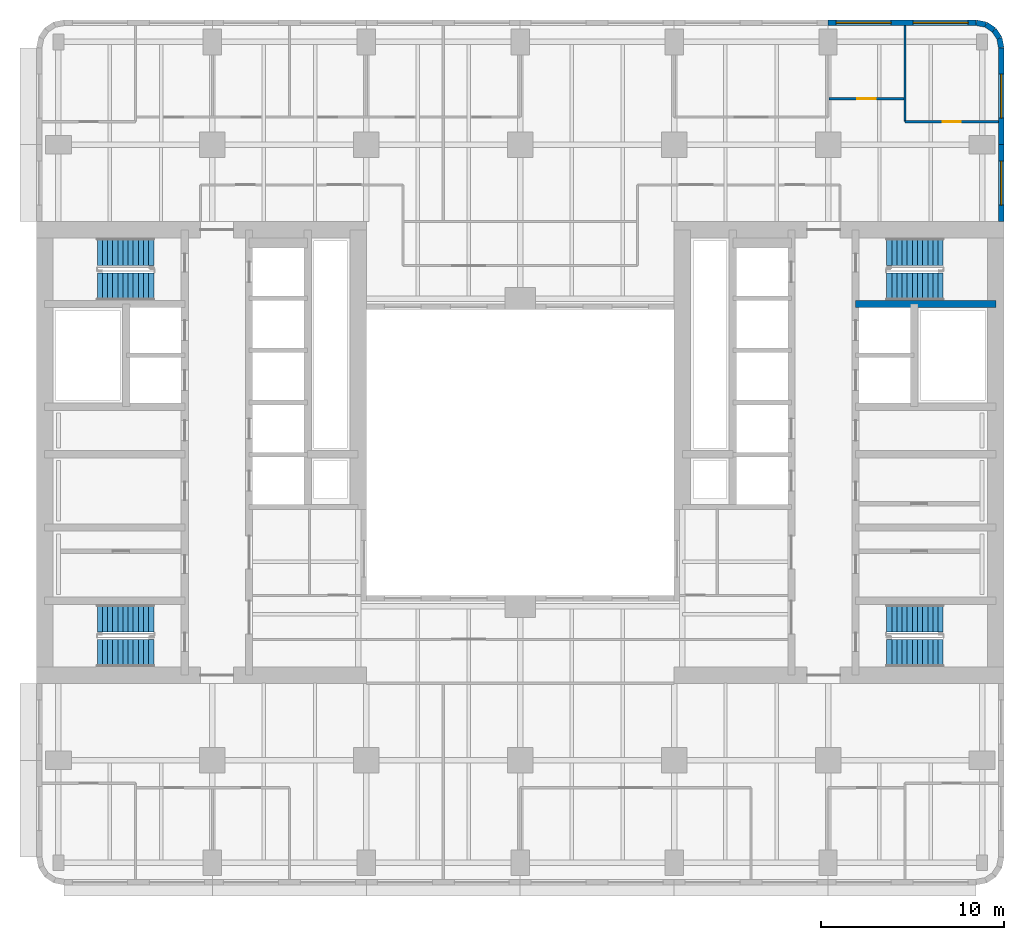
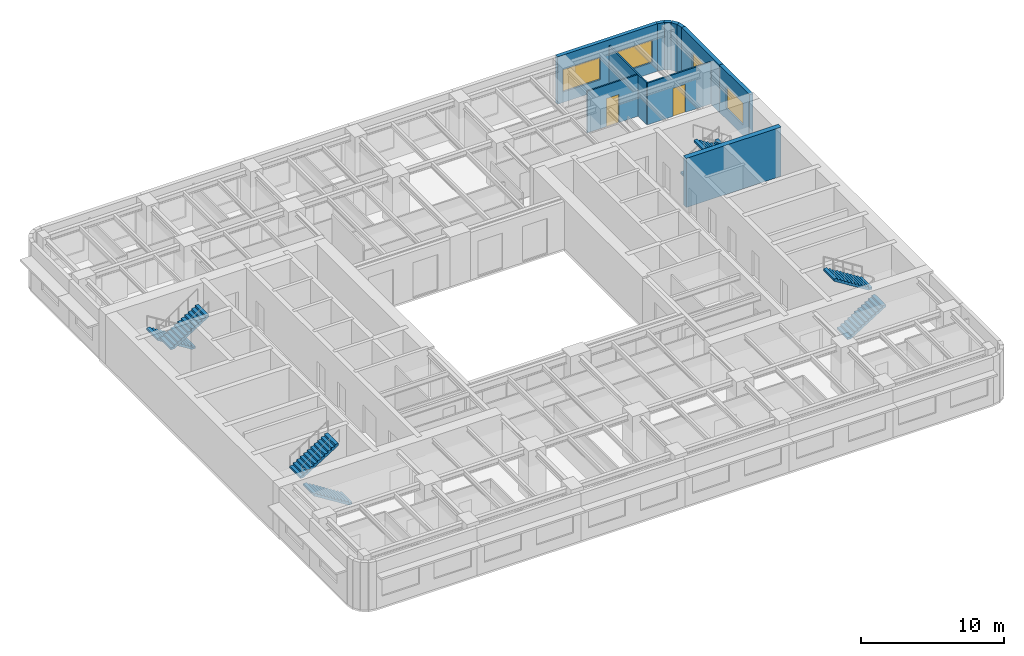
# One storey, part 8 of 11: 11 walls, 8 stair flights, 4 windows, 2 doors, 6 openings, 4 elements without a shape of their own.
"""IFC4 building model written with IfcOpenShell, lengths in metres."""

from ifc_helpers import new_model, si_unit, direction, frame, frame_2d, origin, place, context, subcontext, project, spatial, polyline, rectangle, outline, extrude, material, layer, layer_set, type_object, element, fill, aggregate, save


model = new_model("IFC4")

# Units and contexts
model_context = context("Model", 3, precision=1e-05, world=origin(), true_north=direction((0.0, 1.0)))
body_context = subcontext(model_context, "Body", "Model", "MODEL_VIEW")
ifc_project = project(units=[si_unit("LENGTHUNIT", "METRE"), si_unit("AREAUNIT", "SQUARE_METRE"), si_unit("VOLUMEUNIT", "CUBIC_METRE"), si_unit("PLANEANGLEUNIT", "RADIAN"), si_unit("MASSUNIT", "GRAM", prefix="KILO")], contexts=[model_context])

# Site, building, storey
site_placement = place(None, origin())
site = spatial("IfcSite", under=ifc_project, at=site_placement, CompositionType="ELEMENT")
building_placement = place(site_placement, origin())
building = spatial("IfcBuilding", under=site, at=building_placement, Name="Claustro Exchange Tower", CompositionType="ELEMENT")
storey_placement = place(building_placement, frame((0.0, 0.0, 142.800048828125)))
storey = spatial("IfcBuildingStorey", under=building, at=storey_placement, Name="L32", CompositionType="ELEMENT", Elevation=142.800048828125)

# Wall, opening, door
ifc_material_1 = material(Name="Laminated glass in aluminium frame", Category="aluminium")
ifc_layer_1 = layer(ifc_material_1, 0.1201171875)
ifc_layer_set_1 = layer_set([ifc_layer_1], Name="Laminated glass in aluminium frame")
wall_type_1 = type_object("IfcWallType", Name="P2 120 glazed partition", PredefinedType="PARTITIONING", material=ifc_layer_set_1)
wall_1_placement = place(storey_placement, frame((42.05810546875, 44.5, 0.0), z_axis=(0.0, 0.0, 1.0), x_axis=(1.0, 0.0, 0.0)))
wall_1 = element("IfcWall", 1, at=wall_1_placement, inside=storey, type_object=wall_type_1, Name="Partition P2 L32", PredefinedType="PARTITIONING", context=body_context, shape_type="SweptSolid", body=[
    extrude(rectangle(XDim=4.083984375, YDim=0.1201171875, at=frame_2d((2.0419921875, 0.0))), origin(), (0.0, 0.0, 1.0), 3.550048828125),
])
opening_1_placement = place(wall_1_placement, frame((1.5419921875, 0.0, 0.0)))
opening_1 = element("IfcOpeningElement", 2, at=opening_1_placement, cuts=wall_1, Name="Opening D7", PredefinedType="OPENING", context=body_context, shape_type="SweptSolid", body=[
    extrude(rectangle(XDim=1.0, YDim=2.39990234375, at=frame_2d((0.5, 1.199951171875))), frame((0.0, 0.070068359375, 0.0), z_axis=(0.0, -1.0, 0.0), x_axis=(1.0, 0.0, 0.0)), (0.0, 0.0, 1.0), 0.14013671875),
])
ifc_material_2 = material(Name="Glass door in aluminium frame", Category="aluminium")
door_type = type_object("IfcDoorType", Name="D7 1000 x 2400 glazed door", OperationType="SINGLE_SWING_LEFT", PredefinedType="DOOR", material=ifc_material_2)
door_1_placement = place(opening_1_placement, origin())
door_1 = element("IfcDoor", 3, at=door_1_placement, inside=storey, type_object=door_type, Name="Door D7 L32", OperationType="SINGLE_SWING_LEFT", OverallHeight=2.39990234375, OverallWidth=1.0, PredefinedType="DOOR", context=body_context, shape_type="SweptSolid", body=[
    extrude(rectangle(XDim=1.0, YDim=2.39990234375, at=frame_2d((0.5, 1.199951171875))), frame((0.0, 0.02490234375, 0.0), z_axis=(0.0, -1.0, 0.0), x_axis=(1.0, 0.0, 0.0)), (0.0, 0.0, 1.0), 0.050048828125),
])
fill(opening_1, door_1)

wall_2_placement = place(storey_placement, frame((46.199951171875, 43.25, 0.0), z_axis=(0.0, 0.0, 1.0), x_axis=(1.0, 0.0, 0.0)))
wall_2 = element("IfcWall", 4, at=wall_2_placement, inside=storey, type_object=wall_type_1, Name="Partition P2 L32", PredefinedType="PARTITIONING", context=body_context, shape_type="SweptSolid", body=[
    extrude(rectangle(XDim=5.10205078125, YDim=0.1201171875, at=frame_2d((2.551025390625, 0.0))), origin(), (0.0, 0.0, 1.0), 3.56005859375),
])
opening_2_placement = place(wall_2_placement, frame((2.050048828125, 0.0, 0.0)))
opening_2 = element("IfcOpeningElement", 5, at=opening_2_placement, cuts=wall_2, Name="Opening D7", PredefinedType="OPENING", context=body_context, shape_type="SweptSolid", body=[
    extrude(rectangle(XDim=1.0, YDim=2.39990234375, at=frame_2d((0.5, 1.199951171875))), frame((0.0, 0.070068359375, 0.0), z_axis=(0.0, -1.0, 0.0), x_axis=(1.0, 0.0, 0.0)), (0.0, 0.0, 1.0), 0.14013671875),
])
door_2_placement = place(opening_2_placement, origin())
door_2 = element("IfcDoor", 6, at=door_2_placement, inside=storey, type_object=door_type, Name="Door D7 L32", OperationType="SINGLE_SWING_LEFT", OverallHeight=2.39990234375, OverallWidth=1.0, PredefinedType="DOOR", context=body_context, shape_type="SweptSolid", body=[
    extrude(rectangle(XDim=1.0, YDim=2.39990234375, at=frame_2d((0.5, 1.199951171875))), frame((0.0, 0.02490234375, 0.0), z_axis=(0.0, -1.0, 0.0), x_axis=(1.0, 0.0, 0.0)), (0.0, 0.0, 1.0), 0.050048828125),
])
fill(opening_2, door_2)

# Wall
wall_3_placement = place(storey_placement, frame((46.199951171875, 43.25, 0.0), z_axis=(0.0, 0.0, 1.0), x_axis=(0.0, 1.0, 0.0)))
element("IfcWall", 7, at=wall_3_placement, inside=storey, type_object=wall_type_1, Name="Partition P2 L32", PredefinedType="PARTITIONING", context=body_context, shape_type="SweptSolid", body=[
    extrude(rectangle(XDim=5.251953125, YDim=0.1201171875, at=frame_2d((2.6259765625, 0.0))), origin(), (0.0, 0.0, 1.0), 3.56005859375),
])

# Wall, openings, windows
ifc_material_3 = material(Name="Concrete HA-40 (C40/50), precast, white cement, acid-etched", Category="concrete")
ifc_layer_2 = layer(ifc_material_3, 0.300048828125)
ifc_layer_set_2 = layer_set([ifc_layer_2], Name="Concrete HA-40 (C40/50), precast, white cement, acid-etched")
wall_type_2 = type_object("IfcWallType", Name="PC1 300 precast concrete pier panel", PredefinedType="SOLIDWALL", material=ifc_layer_set_2)
wall_4_placement = place(storey_placement, frame((42.0, 48.64990234375, 0.0), z_axis=(0.0, 0.0, 1.0), x_axis=(1.0, 0.0, 0.0)))
wall_4 = element("IfcWall", 8, at=wall_4_placement, inside=storey, type_object=wall_type_2, Name="Precast pier panel PC1 L32", PredefinedType="SOLIDWALL", context=body_context, shape_type="SweptSolid", body=[
    extrude(rectangle(XDim=8.085205078125, YDim=0.300048828125, at=frame_2d((4.04248046875, 0.0))), origin(), (0.0, 0.0, 1.0), 4.050048828125),
])
opening_3_placement = place(wall_4_placement, frame((0.442626953125, 0.0, 0.89990234375)))
opening_3 = element("IfcOpeningElement", 9, at=opening_3_placement, cuts=wall_4, Name="Opening W1", PredefinedType="OPENING", context=body_context, shape_type="SweptSolid", body=[
    extrude(rectangle(XDim=3.0, YDim=1.89990234375, at=frame_2d((1.5, 0.949951171875))), frame((0.0, 0.159912109375, 0.0), z_axis=(0.0, -1.0, 0.0), x_axis=(1.0, 0.0, 0.0)), (0.0, 0.0, 1.0), 0.320068359375),
])
opening_4_placement = place(wall_4_placement, frame((4.642578125, 0.0, 0.89990234375)))
opening_4 = element("IfcOpeningElement", 10, at=opening_4_placement, cuts=wall_4, Name="Opening W1", PredefinedType="OPENING", context=body_context, shape_type="SweptSolid", body=[
    extrude(rectangle(XDim=3.0, YDim=1.89990234375, at=frame_2d((1.5, 0.949951171875))), frame((0.0, 0.159912109375, 0.0), z_axis=(0.0, -1.0, 0.0), x_axis=(1.0, 0.0, 0.0)), (0.0, 0.0, 1.0), 0.320068359375),
])
ifc_material_4 = material(Name="Aluminium frame, clear double glazing", Category="aluminium")
window_type_1 = type_object("IfcWindowType", Name="W1 3000 x 1900 window", PartitioningType="SINGLE_PANEL", PredefinedType="WINDOW", material=ifc_material_4)
window_1_placement = place(opening_3_placement, origin())
window_1 = element("IfcWindow", 11, at=window_1_placement, inside=storey, type_object=window_type_1, Name="Window W1 L32", OverallHeight=1.89990234375, OverallWidth=3.0, PartitioningType="SINGLE_PANEL", PredefinedType="WINDOW", context=body_context, shape_type="SweptSolid", body=[
    extrude(rectangle(XDim=3.0, YDim=1.89990234375, at=frame_2d((1.5, 0.949951171875))), frame((0.0, 0.030029296875, 0.0), z_axis=(0.0, -1.0, 0.0), x_axis=(1.0, 0.0, 0.0)), (0.0, 0.0, 1.0), 0.06005859375),
])
fill(opening_3, window_1)
window_2_placement = place(opening_4_placement, origin())
window_2 = element("IfcWindow", 12, at=window_2_placement, inside=storey, type_object=window_type_1, Name="Window W1 L32", OverallHeight=1.89990234375, OverallWidth=3.0, PartitioningType="SINGLE_PANEL", PredefinedType="WINDOW", context=body_context, shape_type="SweptSolid", body=[
    extrude(rectangle(XDim=3.0, YDim=1.89990234375, at=frame_2d((1.5, 0.949951171875))), frame((0.0, 0.030029296875, 0.0), z_axis=(0.0, -1.0, 0.0), x_axis=(1.0, 0.0, 0.0)), (0.0, 0.0, 1.0), 0.06005859375),
])
fill(opening_4, window_2)

# Walls
wall_5_placement = place(storey_placement, frame((50.085205078125, 48.64990234375, 0.0), z_axis=(0.0, 0.0, 1.0), x_axis=(0.980788534345, -0.195073962632, 0.0)))
element("IfcWall", 13, at=wall_5_placement, inside=storey, type_object=wall_type_2, Name="Precast pier panel PC1 L32", PredefinedType="SOLIDWALL", context=body_context, shape_type="SweptSolid", body=[
    extrude(rectangle(XDim=0.540771484375, YDim=0.300048828125, at=frame_2d((0.2705078125, 0.0))), origin(), (0.0, 0.0, 1.0), 4.050048828125),
])
wall_6_placement = place(storey_placement, frame((50.615478515625, 48.54443359375, 0.0), z_axis=(0.0, 0.0, 1.0), x_axis=(0.831692711774, -0.555236195849, 0.0)))
element("IfcWall", 14, at=wall_6_placement, inside=storey, type_object=wall_type_2, Name="Precast pier panel PC1 L32", PredefinedType="SOLIDWALL", context=body_context, shape_type="SweptSolid", body=[
    extrude(rectangle(XDim=0.525390625, YDim=0.300048828125, at=frame_2d((0.2626953125, 0.0))), origin(), (0.0, 0.0, 1.0), 4.050048828125),
])
wall_7_placement = place(storey_placement, frame((51.052490234375, 48.252685546875, 0.0), z_axis=(0.0, 0.0, 1.0), x_axis=(0.55534295404, -0.831621430339, 0.0)))
element("IfcWall", 15, at=wall_7_placement, inside=storey, type_object=wall_type_2, Name="Precast pier panel PC1 L32", PredefinedType="SOLIDWALL", context=body_context, shape_type="SweptSolid", body=[
    extrude(rectangle(XDim=0.52587890625, YDim=0.300048828125, at=frame_2d((0.262939453125, 0.0))), origin(), (0.0, 0.0, 1.0), 4.050048828125),
])
wall_8_placement = place(storey_placement, frame((51.344482421875, 47.8154296875, 0.0), z_axis=(0.0, 0.0, 1.0), x_axis=(0.195073962632, -0.980788534345, 0.0)))
element("IfcWall", 16, at=wall_8_placement, inside=storey, type_object=wall_type_2, Name="Precast pier panel PC1 L32", PredefinedType="SOLIDWALL", context=body_context, shape_type="SweptSolid", body=[
    extrude(rectangle(XDim=0.540771484375, YDim=0.300048828125, at=frame_2d((0.2705078125, 0.0))), origin(), (0.0, 0.0, 1.0), 4.050048828125),
])

# Wall, opening, window
wall_9_placement = place(storey_placement, frame((51.449951171875, 47.28515625, 0.0), z_axis=(0.0, 0.0, 1.0), x_axis=(0.0, -1.0, 0.0)))
wall_9 = element("IfcWall", 17, at=wall_9_placement, inside=storey, type_object=wall_type_2, Name="Precast pier panel PC1 L32", PredefinedType="SOLIDWALL", context=body_context, shape_type="SweptSolid", body=[
    extrude(rectangle(XDim=5.28515625, YDim=0.300048828125, at=frame_2d((2.642578125, 0.0))), origin(), (0.0, 0.0, 1.0), 4.050048828125),
])
opening_5_placement = place(wall_9_placement, frame((1.442626953125, 0.0, 0.89990234375)))
opening_5 = element("IfcOpeningElement", 18, at=opening_5_placement, cuts=wall_9, Name="Opening W2", PredefinedType="OPENING", context=body_context, shape_type="SweptSolid", body=[
    extrude(rectangle(XDim=2.39990234375, YDim=1.89990234375, at=frame_2d((1.199951171875, 0.949951171875))), frame((0.0, 0.159912109375, 0.0), z_axis=(0.0, -1.0, 0.0), x_axis=(1.0, 0.0, 0.0)), (0.0, 0.0, 1.0), 0.320068359375),
])
ifc_material_5 = material(Name="Aluminium frame, clear double glazing", Category="aluminium")
window_type_2 = type_object("IfcWindowType", Name="W2 2400 x 1900 window", PartitioningType="SINGLE_PANEL", PredefinedType="WINDOW", material=ifc_material_5)
window_3_placement = place(opening_5_placement, origin())
window_3 = element("IfcWindow", 19, at=window_3_placement, inside=storey, type_object=window_type_2, Name="Window W2 L32", OverallHeight=1.89990234375, OverallWidth=2.39990234375, PartitioningType="SINGLE_PANEL", PredefinedType="WINDOW", context=body_context, shape_type="SweptSolid", body=[
    extrude(rectangle(XDim=2.39990234375, YDim=1.89990234375, at=frame_2d((1.199951171875, 0.949951171875))), frame((0.0, 0.030029296875, 0.0), z_axis=(0.0, -1.0, 0.0), x_axis=(1.0, 0.0, 0.0)), (0.0, 0.0, 1.0), 0.06005859375),
])
fill(opening_5, window_3)

wall_10_placement = place(storey_placement, frame((51.449951171875, 42.0, 0.0), z_axis=(0.0, 0.0, 1.0), x_axis=(0.0, -1.0, 0.0)))
wall_10 = element("IfcWall", 20, at=wall_10_placement, inside=storey, type_object=wall_type_2, Name="Precast pier panel PC1 L32", PredefinedType="SOLIDWALL", context=body_context, shape_type="SweptSolid", body=[
    extrude(rectangle(XDim=4.199951171875, YDim=0.300048828125, at=frame_2d((2.10009765625, 0.0))), origin(), (0.0, 0.0, 1.0), 4.050048828125),
])
opening_6_placement = place(wall_10_placement, frame((0.89990234375, 0.0, 0.89990234375)))
opening_6 = element("IfcOpeningElement", 21, at=opening_6_placement, cuts=wall_10, Name="Opening W2", PredefinedType="OPENING", context=body_context, shape_type="SweptSolid", body=[
    extrude(rectangle(XDim=2.39990234375, YDim=1.89990234375, at=frame_2d((1.199951171875, 0.949951171875))), frame((0.0, 0.159912109375, 0.0), z_axis=(0.0, -1.0, 0.0), x_axis=(1.0, 0.0, 0.0)), (0.0, 0.0, 1.0), 0.320068359375),
])
window_4_placement = place(opening_6_placement, origin())
window_4 = element("IfcWindow", 22, at=window_4_placement, inside=storey, type_object=window_type_2, Name="Window W2 L32", OverallHeight=1.89990234375, OverallWidth=2.39990234375, PartitioningType="SINGLE_PANEL", PredefinedType="WINDOW", context=body_context, shape_type="SweptSolid", body=[
    extrude(rectangle(XDim=2.39990234375, YDim=1.89990234375, at=frame_2d((1.199951171875, 0.949951171875))), frame((0.0, 0.030029296875, 0.0), z_axis=(0.0, -1.0, 0.0), x_axis=(1.0, 0.0, 0.0)), (0.0, 0.0, 1.0), 0.06005859375),
])
fill(opening_6, window_4)

# Wall
ifc_material_6 = material(Name="Concrete HA-50 (C50/60)", Category="concrete")
ifc_layer_3 = layer(ifc_material_6, 0.39990234375)
ifc_layer_set_3 = layer_set([ifc_layer_3], Name="Concrete HA-50 (C50/60)")
wall_type_3 = type_object("IfcWallType", Name="SW4 400 internal core wall", PredefinedType="SHEAR", material=ifc_layer_set_3)
wall_11_placement = place(storey_placement, frame((51.14990234375, 33.300048828125, 0.0), z_axis=(0.0, 0.0, 1.0), x_axis=(-1.0, 0.0, 0.0)))
element("IfcWall", 23, at=wall_11_placement, inside=storey, type_object=wall_type_3, Name="Internal core wall SW4 E core L32", PredefinedType="SHEAR", context=body_context, shape_type="SweptSolid", body=[
    extrude(rectangle(XDim=7.64990234375, YDim=0.39990234375, at=frame_2d((3.824951171875, 0.0))), origin(), (0.0, 0.0, 1.0), 4.199951171875),
])

# Stair, stair flights
ifc_material_7 = material(Name="Concrete HA-30 (C30/37), precast", Category="concrete")
stair_type = type_object("IfcStairType", Name="ST1 half-turn stair, 24 risers of 175", PredefinedType="HALF_TURN_STAIR", material=ifc_material_7)
stair_1_placement = place(storey_placement, origin())
stair_1 = element("IfcStair", 24, at=stair_1_placement, inside=storey, type_object=stair_type, Name="Stair STWA L32", PredefinedType="HALF_TURN_STAIR")
ifc_material_8 = material(Name="Concrete HA-30 (C30/37), precast", Category="concrete")
stair_flight_type = type_object("IfcStairFlightType", Name="SF12A straight flight, 12 risers of 175, 1500 wide", PredefinedType="STRAIGHT", material=ifc_material_8)
stair_flight_1_placement = place(storey_placement, frame((5.199951171875, 14.25, 0.0), z_axis=(0.0, 0.0, 1.0), x_axis=(-1.0, 0.0, 0.0)))
stair_flight_1 = element("IfcStairFlight", 25, at=stair_flight_1_placement, type_object=stair_flight_type, Name="STWA flight 1", NumberOfRisers=12, NumberOfTreads=11, PredefinedType="STRAIGHT", RiserHeight=0.175, TreadLength=0.28, context=body_context, shape_type="SweptSolid", body=[
    extrude(outline(polyline([(0.0, 0.0), (0.0, 0.175048828125), (0.280029296875, 0.175048828125), (0.280029296875, 0.35009765625), (0.56005859375, 0.35009765625), (0.56005859375, 0.52490234375), (0.840087890625, 0.52490234375), (0.840087890625, 0.699951171875), (1.1201171875, 0.699951171875), (1.1201171875, 0.875), (1.39990234375, 0.875), (1.39990234375, 1.050048828125), (1.679931640625, 1.050048828125), (1.679931640625, 1.22509765625), (1.9599609375, 1.22509765625), (1.9599609375, 1.39990234375), (2.239990234375, 1.39990234375), (2.239990234375, 1.574951171875), (2.52001953125, 1.574951171875), (2.52001953125, 1.75), (2.800048828125, 1.75), (2.800048828125, 1.925048828125), (3.080078125, 1.925048828125), (3.080078125, 2.10009765625), (3.080078125, 1.748291015625), (0.28271484375, 0.0), (0.0, 0.0)])), frame((0.0, 0.75, 0.0), z_axis=(0.0, -1.0, 0.0), x_axis=(1.0, 0.0, 0.0)), (0.0, 0.0, 1.0), 1.5),
])
stair_flight_2_placement = place(storey_placement, frame((2.1201171875, 16.14990234375, 2.099853515625), z_axis=(0.0, 0.0, 1.0), x_axis=(1.0, 0.0, 0.0)))
stair_flight_2 = element("IfcStairFlight", 26, at=stair_flight_2_placement, type_object=stair_flight_type, Name="STWA flight 2", NumberOfRisers=12, NumberOfTreads=11, PredefinedType="STRAIGHT", RiserHeight=0.175, TreadLength=0.28, context=body_context, shape_type="SweptSolid", body=[
    extrude(outline(polyline([(0.0, 0.0), (0.0, 0.175048828125), (0.280029296875, 0.175048828125), (0.280029296875, 0.35009765625), (0.56005859375, 0.35009765625), (0.56005859375, 0.52490234375), (0.840087890625, 0.52490234375), (0.840087890625, 0.699951171875), (1.1201171875, 0.699951171875), (1.1201171875, 0.875), (1.39990234375, 0.875), (1.39990234375, 1.050048828125), (1.679931640625, 1.050048828125), (1.679931640625, 1.22509765625), (1.9599609375, 1.22509765625), (1.9599609375, 1.39990234375), (2.239990234375, 1.39990234375), (2.239990234375, 1.574951171875), (2.52001953125, 1.574951171875), (2.52001953125, 1.75), (2.800048828125, 1.75), (2.800048828125, 1.925048828125), (3.080078125, 1.925048828125), (3.080078125, 2.10009765625), (3.080078125, 1.748291015625), (0.28271484375, 0.0), (0.0, 0.0)])), frame((0.0, 0.75, 0.0), z_axis=(0.0, -1.0, 0.0), x_axis=(1.0, 0.0, 0.0)), (0.0, 0.0, 1.0), 1.5),
])
aggregate(stair_1, [stair_flight_1, stair_flight_2])

stair_2_placement = place(storey_placement, origin())
stair_2 = element("IfcStair", 27, at=stair_2_placement, inside=storey, type_object=stair_type, Name="Stair STWB L32", PredefinedType="HALF_TURN_STAIR")
stair_flight_3_placement = place(storey_placement, frame((5.199951171875, 36.14990234375, 0.0), z_axis=(0.0, 0.0, 1.0), x_axis=(-1.0, 0.0, 0.0)))
stair_flight_3 = element("IfcStairFlight", 28, at=stair_flight_3_placement, type_object=stair_flight_type, Name="STWB flight 1", NumberOfRisers=12, NumberOfTreads=11, PredefinedType="STRAIGHT", RiserHeight=0.175, TreadLength=0.28, context=body_context, shape_type="SweptSolid", body=[
    extrude(outline(polyline([(0.0, 0.0), (0.0, 0.175048828125), (0.280029296875, 0.175048828125), (0.280029296875, 0.35009765625), (0.56005859375, 0.35009765625), (0.56005859375, 0.52490234375), (0.840087890625, 0.52490234375), (0.840087890625, 0.699951171875), (1.1201171875, 0.699951171875), (1.1201171875, 0.875), (1.39990234375, 0.875), (1.39990234375, 1.050048828125), (1.679931640625, 1.050048828125), (1.679931640625, 1.22509765625), (1.9599609375, 1.22509765625), (1.9599609375, 1.39990234375), (2.239990234375, 1.39990234375), (2.239990234375, 1.574951171875), (2.52001953125, 1.574951171875), (2.52001953125, 1.75), (2.800048828125, 1.75), (2.800048828125, 1.925048828125), (3.080078125, 1.925048828125), (3.080078125, 2.10009765625), (3.080078125, 1.748291015625), (0.28271484375, 0.0), (0.0, 0.0)])), frame((0.0, 0.75, 0.0), z_axis=(0.0, -1.0, 0.0), x_axis=(1.0, 0.0, 0.0)), (0.0, 0.0, 1.0), 1.5),
])
stair_flight_4_placement = place(storey_placement, frame((2.1201171875, 34.25, 2.099853515625), z_axis=(0.0, 0.0, 1.0), x_axis=(1.0, 0.0, 0.0)))
stair_flight_4 = element("IfcStairFlight", 29, at=stair_flight_4_placement, type_object=stair_flight_type, Name="STWB flight 2", NumberOfRisers=12, NumberOfTreads=11, PredefinedType="STRAIGHT", RiserHeight=0.175, TreadLength=0.28, context=body_context, shape_type="SweptSolid", body=[
    extrude(outline(polyline([(0.0, 0.0), (0.0, 0.175048828125), (0.280029296875, 0.175048828125), (0.280029296875, 0.35009765625), (0.56005859375, 0.35009765625), (0.56005859375, 0.52490234375), (0.840087890625, 0.52490234375), (0.840087890625, 0.699951171875), (1.1201171875, 0.699951171875), (1.1201171875, 0.875), (1.39990234375, 0.875), (1.39990234375, 1.050048828125), (1.679931640625, 1.050048828125), (1.679931640625, 1.22509765625), (1.9599609375, 1.22509765625), (1.9599609375, 1.39990234375), (2.239990234375, 1.39990234375), (2.239990234375, 1.574951171875), (2.52001953125, 1.574951171875), (2.52001953125, 1.75), (2.800048828125, 1.75), (2.800048828125, 1.925048828125), (3.080078125, 1.925048828125), (3.080078125, 2.10009765625), (3.080078125, 1.748291015625), (0.28271484375, 0.0), (0.0, 0.0)])), frame((0.0, 0.75, 0.0), z_axis=(0.0, -1.0, 0.0), x_axis=(1.0, 0.0, 0.0)), (0.0, 0.0, 1.0), 1.5),
])
aggregate(stair_2, [stair_flight_3, stair_flight_4])

stair_3_placement = place(storey_placement, origin())
stair_3 = element("IfcStair", 30, at=stair_3_placement, inside=storey, type_object=stair_type, Name="Stair STEA L32", PredefinedType="HALF_TURN_STAIR")
stair_flight_5_placement = place(storey_placement, frame((45.199951171875, 14.25, 0.0), z_axis=(0.0, 0.0, 1.0), x_axis=(1.0, 0.0, 0.0)))
stair_flight_5 = element("IfcStairFlight", 31, at=stair_flight_5_placement, type_object=stair_flight_type, Name="STEA flight 1", NumberOfRisers=12, NumberOfTreads=11, PredefinedType="STRAIGHT", RiserHeight=0.175, TreadLength=0.28, context=body_context, shape_type="SweptSolid", body=[
    extrude(outline(polyline([(0.0, 0.0), (0.0, 0.175048828125), (0.280029296875, 0.175048828125), (0.280029296875, 0.35009765625), (0.56005859375, 0.35009765625), (0.56005859375, 0.52490234375), (0.840087890625, 0.52490234375), (0.840087890625, 0.699951171875), (1.1201171875, 0.699951171875), (1.1201171875, 0.875), (1.39990234375, 0.875), (1.39990234375, 1.050048828125), (1.679931640625, 1.050048828125), (1.679931640625, 1.22509765625), (1.9599609375, 1.22509765625), (1.9599609375, 1.39990234375), (2.239990234375, 1.39990234375), (2.239990234375, 1.574951171875), (2.52001953125, 1.574951171875), (2.52001953125, 1.75), (2.800048828125, 1.75), (2.800048828125, 1.925048828125), (3.080078125, 1.925048828125), (3.080078125, 2.10009765625), (3.080078125, 1.748291015625), (0.28271484375, 0.0), (0.0, 0.0)])), frame((0.0, 0.75, 0.0), z_axis=(0.0, -1.0, 0.0), x_axis=(1.0, 0.0, 0.0)), (0.0, 0.0, 1.0), 1.5),
])
stair_flight_6_placement = place(storey_placement, frame((48.280029296875, 16.14990234375, 2.099853515625), z_axis=(0.0, 0.0, 1.0), x_axis=(-1.0, 0.0, 0.0)))
stair_flight_6 = element("IfcStairFlight", 32, at=stair_flight_6_placement, type_object=stair_flight_type, Name="STEA flight 2", NumberOfRisers=12, NumberOfTreads=11, PredefinedType="STRAIGHT", RiserHeight=0.175, TreadLength=0.28, context=body_context, shape_type="SweptSolid", body=[
    extrude(outline(polyline([(0.0, 0.0), (0.0, 0.175048828125), (0.280029296875, 0.175048828125), (0.280029296875, 0.35009765625), (0.56005859375, 0.35009765625), (0.56005859375, 0.52490234375), (0.840087890625, 0.52490234375), (0.840087890625, 0.699951171875), (1.1201171875, 0.699951171875), (1.1201171875, 0.875), (1.39990234375, 0.875), (1.39990234375, 1.050048828125), (1.679931640625, 1.050048828125), (1.679931640625, 1.22509765625), (1.9599609375, 1.22509765625), (1.9599609375, 1.39990234375), (2.239990234375, 1.39990234375), (2.239990234375, 1.574951171875), (2.52001953125, 1.574951171875), (2.52001953125, 1.75), (2.800048828125, 1.75), (2.800048828125, 1.925048828125), (3.080078125, 1.925048828125), (3.080078125, 2.10009765625), (3.080078125, 1.748291015625), (0.28271484375, 0.0), (0.0, 0.0)])), frame((0.0, 0.75, 0.0), z_axis=(0.0, -1.0, 0.0), x_axis=(1.0, 0.0, 0.0)), (0.0, 0.0, 1.0), 1.5),
])
aggregate(stair_3, [stair_flight_5, stair_flight_6])

stair_4_placement = place(storey_placement, origin())
stair_4 = element("IfcStair", 33, at=stair_4_placement, inside=storey, type_object=stair_type, Name="Stair STEB L32", PredefinedType="HALF_TURN_STAIR")
stair_flight_7_placement = place(storey_placement, frame((45.199951171875, 36.14990234375, 0.0), z_axis=(0.0, 0.0, 1.0), x_axis=(1.0, 0.0, 0.0)))
stair_flight_7 = element("IfcStairFlight", 34, at=stair_flight_7_placement, type_object=stair_flight_type, Name="STEB flight 1", NumberOfRisers=12, NumberOfTreads=11, PredefinedType="STRAIGHT", RiserHeight=0.175, TreadLength=0.28, context=body_context, shape_type="SweptSolid", body=[
    extrude(outline(polyline([(0.0, 0.0), (0.0, 0.175048828125), (0.280029296875, 0.175048828125), (0.280029296875, 0.35009765625), (0.56005859375, 0.35009765625), (0.56005859375, 0.52490234375), (0.840087890625, 0.52490234375), (0.840087890625, 0.699951171875), (1.1201171875, 0.699951171875), (1.1201171875, 0.875), (1.39990234375, 0.875), (1.39990234375, 1.050048828125), (1.679931640625, 1.050048828125), (1.679931640625, 1.22509765625), (1.9599609375, 1.22509765625), (1.9599609375, 1.39990234375), (2.239990234375, 1.39990234375), (2.239990234375, 1.574951171875), (2.52001953125, 1.574951171875), (2.52001953125, 1.75), (2.800048828125, 1.75), (2.800048828125, 1.925048828125), (3.080078125, 1.925048828125), (3.080078125, 2.10009765625), (3.080078125, 1.748291015625), (0.28271484375, 0.0), (0.0, 0.0)])), frame((0.0, 0.75, 0.0), z_axis=(0.0, -1.0, 0.0), x_axis=(1.0, 0.0, 0.0)), (0.0, 0.0, 1.0), 1.5),
])
stair_flight_8_placement = place(storey_placement, frame((48.280029296875, 34.25, 2.099853515625), z_axis=(0.0, 0.0, 1.0), x_axis=(-1.0, 0.0, 0.0)))
stair_flight_8 = element("IfcStairFlight", 35, at=stair_flight_8_placement, type_object=stair_flight_type, Name="STEB flight 2", NumberOfRisers=12, NumberOfTreads=11, PredefinedType="STRAIGHT", RiserHeight=0.175, TreadLength=0.28, context=body_context, shape_type="SweptSolid", body=[
    extrude(outline(polyline([(0.0, 0.0), (0.0, 0.175048828125), (0.280029296875, 0.175048828125), (0.280029296875, 0.35009765625), (0.56005859375, 0.35009765625), (0.56005859375, 0.52490234375), (0.840087890625, 0.52490234375), (0.840087890625, 0.699951171875), (1.1201171875, 0.699951171875), (1.1201171875, 0.875), (1.39990234375, 0.875), (1.39990234375, 1.050048828125), (1.679931640625, 1.050048828125), (1.679931640625, 1.22509765625), (1.9599609375, 1.22509765625), (1.9599609375, 1.39990234375), (2.239990234375, 1.39990234375), (2.239990234375, 1.574951171875), (2.52001953125, 1.574951171875), (2.52001953125, 1.75), (2.800048828125, 1.75), (2.800048828125, 1.925048828125), (3.080078125, 1.925048828125), (3.080078125, 2.10009765625), (3.080078125, 1.748291015625), (0.28271484375, 0.0), (0.0, 0.0)])), frame((0.0, 0.75, 0.0), z_axis=(0.0, -1.0, 0.0), x_axis=(1.0, 0.0, 0.0)), (0.0, 0.0, 1.0), 1.5),
])
aggregate(stair_4, [stair_flight_7, stair_flight_8])

save(model, "model.ifc")
